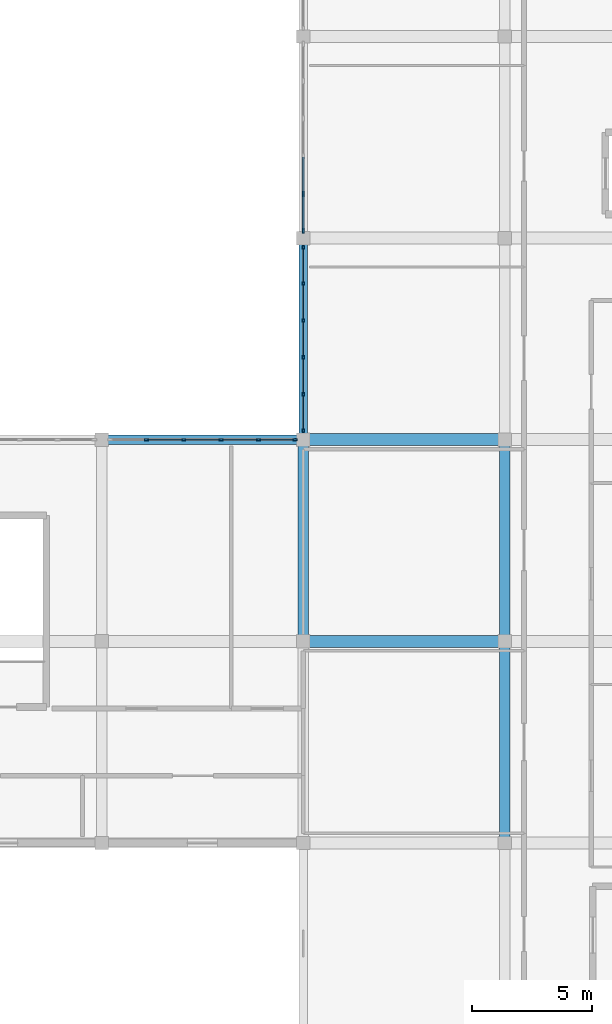
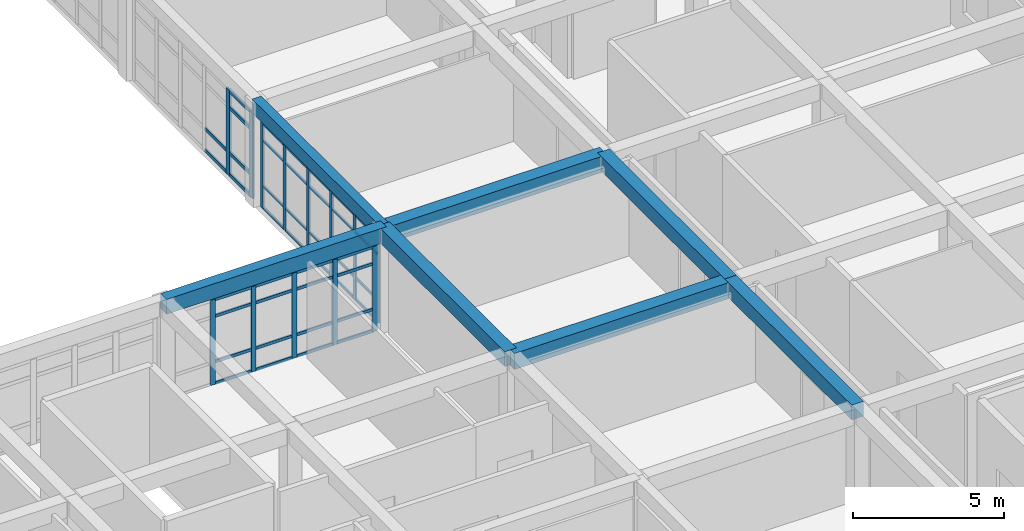
# One storey, part 26 of 77: 55 members, 7 beams, 3 elements without a shape of their own.
"""IFC4 building model written with IfcOpenShell, lengths in metres."""

import ifcopenshell
import ifcopenshell.guid

model = None  # the IFC model being written
_history = None  # IfcOwnerHistory: only IFC2X3 demands one
_inside = {}  # id of a spatial element -> (the spatial element, [elements in it])
_under = {}  # id of a project, library or spatial element -> (it, [spatial elements below it])
_declared = {}  # id of a project -> (the project, [libraries it declares])
_typed = {}  # id of a type object -> (the type object, [elements of that type])
_made_of = {}  # id of a material, layer set ... -> (it, [elements and type objects made of it])


def new_model(schema):
    """Start an empty IFC model of exactly this schema.

    Asked for "IFC4X3", IfcOpenShell would pick the latest addendum, in which some entities
    have other attributes; the version numbers below select the first issue.
    IFC2X3 requires an IfcOwnerHistory on every rooted entity: one is made here for all.
    """
    global model, _history
    if schema == "IFC4X3":
        model = ifcopenshell.file(schema_version=(4, 3, 0, 0))
    else:
        model = ifcopenshell.file(schema=schema)
    _inside.clear()
    _under.clear()
    _declared.clear()
    _typed.clear()
    _made_of.clear()
    _history = None
    if model.schema == "IFC2X3":
        org = make("IfcOrganization", Name="unknown")
        user = make(
            "IfcPersonAndOrganization",
            ThePerson=make("IfcPerson", FamilyName="unknown"),
            TheOrganization=org,
        )
        app = make(
            "IfcApplication",
            ApplicationDeveloper=org,
            Version="unknown",
            ApplicationFullName="unknown",
            ApplicationIdentifier="unknown",
        )
        _history = make(
            "IfcOwnerHistory",
            OwningUser=user,
            OwningApplication=app,
            ChangeAction="ADDED",
            CreationDate=0,
        )
    return model


def make(cls, **values):
    """One entity of the class cls with the attributes given. An attribute that is None is left unset."""
    return model.create_entity(
        cls, **{name: value for name, value in values.items() if value is not None}
    )


def rooted(cls, **values):
    """An entity with a GlobalId (a new one), such as an element, a storey or a relation."""
    return make(cls, GlobalId=ifcopenshell.guid.new(), OwnerHistory=_history, **values)


def si_unit(unit_type, name, prefix=None):
    """IfcSIUnit, for example si_unit("LENGTHUNIT", "METRE", prefix="MILLI")."""
    return make("IfcSIUnit", UnitType=unit_type, Prefix=prefix, Name=name)


def assignment(units):
    """IfcUnitAssignment: the units of a project."""
    return None if units is None else make("IfcUnitAssignment", Units=units)


def point(xyz):
    """IfcCartesianPoint."""
    return None if xyz is None else make("IfcCartesianPoint", Coordinates=xyz)


def direction(xyz):
    """IfcDirection."""
    return None if xyz is None else make("IfcDirection", DirectionRatios=xyz)


def frame(location, z_axis=None, x_axis=None):
    """IfcAxis2Placement3D, a coordinate frame: its origin and axes. An axis left out is left unset."""
    return make(
        "IfcAxis2Placement3D",
        Location=point(location),
        Axis=direction(z_axis),
        RefDirection=direction(x_axis),
    )


def frame_2d(location, x_axis=None):
    """IfcAxis2Placement2D, a coordinate frame in the plane: its origin and x axis."""
    return make(
        "IfcAxis2Placement2D", Location=point(location), RefDirection=direction(x_axis)
    )


def origin():
    """The frame at (0, 0, 0) with its axes left unset."""
    return frame((0.0, 0.0, 0.0))


def origin_2d():
    """The frame at (0, 0) in the plane with its x axis left unset."""
    return frame_2d((0.0, 0.0))


def place(relative_to, where):
    """IfcLocalPlacement: puts the frame where relative to a parent placement (None: the world)."""
    return make(
        "IfcLocalPlacement", PlacementRelTo=relative_to, RelativePlacement=where
    )


def context(
    kind, dimensions, precision=None, world=None, true_north=None, identifier=None
):
    """IfcGeometricRepresentationContext, for example the 3D "Model" context."""
    return make(
        "IfcGeometricRepresentationContext",
        ContextIdentifier=identifier,
        ContextType=kind,
        CoordinateSpaceDimension=dimensions,
        Precision=precision,
        WorldCoordinateSystem=world,
        TrueNorth=true_north,
    )


def subcontext(parent, identifier, kind, view, scale=None):
    """IfcGeometricRepresentationSubContext, for example "Body" below "Model"."""
    return make(
        "IfcGeometricRepresentationSubContext",
        ContextIdentifier=identifier,
        ContextType=kind,
        ParentContext=parent,
        TargetScale=scale,
        TargetView=view,
    )


def project(units=None, contexts=None):
    """IfcProject with its units and contexts."""
    return rooted(
        "IfcProject",
        Name="project",
        RepresentationContexts=contexts,
        UnitsInContext=assignment(units),
    )


def spatial(cls, under=None, at=None, **own):
    """A site, building, storey or space (cls), placed at a placement, below another one or the project."""
    s = rooted(cls, ObjectPlacement=at, **own)
    if under is not None:
        _under.setdefault(under.id(), (under, []))[1].append(s)
    return s


def profile(cls, at=None, kind="AREA", **sizes):
    """A parametric profile (cls). Its sizes go by their IFC names, for example OverallWidth=200.0."""
    return make(cls, ProfileType=kind, Position=at, **sizes)


def rectangle(**sizes):
    """IfcRectangleProfileDef."""
    return profile("IfcRectangleProfileDef", **sizes)


def extrude(swept, where, along, depth):
    """IfcExtrudedAreaSolid: the profile swept, set in the frame where, extruded along a direction by depth."""
    return make(
        "IfcExtrudedAreaSolid",
        SweptArea=swept,
        Position=where,
        ExtrudedDirection=direction(along),
        Depth=depth,
    )


def shape(context_of_items, identifier, shape_type, items):
    """IfcShapeRepresentation: the items that make up one representation, for example the "Body"."""
    return make(
        "IfcShapeRepresentation",
        ContextOfItems=context_of_items,
        RepresentationIdentifier=identifier,
        RepresentationType=shape_type,
        Items=items,
    )


def material(Name=None, Category=None):
    """IfcMaterial."""
    return make("IfcMaterial", Name=Name, Category=Category)


def material_profile(
    of_material, cross_section, Name=None, Category=None, Priority=None
):
    """IfcMaterialProfile: a cross section and its material."""
    return make(
        "IfcMaterialProfile",
        Name=Name,
        Material=of_material,
        Profile=cross_section,
        Priority=Priority,
        Category=Category,
    )


def profile_set(profiles, Name=None, composite=None):
    """IfcMaterialProfileSet."""
    return make(
        "IfcMaterialProfileSet",
        Name=Name,
        MaterialProfiles=profiles,
        CompositeProfile=composite,
    )


def made_of(thing, what):
    """Note that an element or type object is made of a material, layer set ...; save() writes the relation."""
    if what is not None:
        _made_of.setdefault(what.id(), (what, []))[1].append(thing)
    return thing


def type_object(cls, material=None, **own):
    """A type object (cls), such as IfcWallType, which elements share."""
    return made_of(rooted(cls, **own), material)


def element(
    cls,
    number,
    at=None,
    inside=None,
    cuts=None,
    type_object=None,
    material=None,
    context=None,
    identifier="Body",
    shape_type=None,
    held_by="IfcProductDefinitionShape",
    body=None,
    shapes=None,
    **own,
):
    """One element of the class cls, such as IfcWall. Its Tag is "e" and its number.

    at: its placement. inside: the storey or other place that contains it. cuts: it is an
    opening in that element (IfcRelVoidsElement). A single representation is given by context,
    identifier, shape_type and body (its items); several are given by shapes. held_by: the class
    of the entity that holds the representations. save() writes the other relations.
    """
    e = rooted(cls, Tag="e%d" % number, ObjectPlacement=at, **own)
    if body is not None:
        shapes = [shape(context, identifier, shape_type, body)]
    if shapes is not None:
        e.Representation = make(held_by, Representations=shapes)
    if inside is not None:
        _inside.setdefault(inside.id(), (inside, []))[1].append(e)
    if cuts is not None:
        rooted(
            "IfcRelVoidsElement", RelatingBuildingElement=cuts, RelatedOpeningElement=e
        )
    if type_object is not None:
        _typed.setdefault(type_object.id(), (type_object, []))[1].append(e)
    return made_of(e, material)


def aggregate(whole, parts):
    """IfcRelAggregates: a whole, such as a stair, and the parts it consists of."""
    return rooted("IfcRelAggregates", RelatingObject=whole, RelatedObjects=parts)


def save(model, path):
    """Write the relations noted so far, then the file.

    IfcRelAggregates (storeys below a building ...), IfcRelContainedInSpatialStructure (elements
    in a storey), IfcRelDefinesByType, IfcRelAssociatesMaterial and IfcRelDeclares: one each for
    every whole, place, type object, material and project.
    """
    for whole, parts in _under.values():
        aggregate(whole, parts)
    for where, things in _inside.values():
        rooted(
            "IfcRelContainedInSpatialStructure",
            RelatedElements=things,
            RelatingStructure=where,
        )
    for kind, things in _typed.values():
        rooted("IfcRelDefinesByType", RelatedObjects=things, RelatingType=kind)
    for what, things in _made_of.values():
        rooted("IfcRelAssociatesMaterial", RelatedObjects=things, RelatingMaterial=what)
    for by, libraries in _declared.values():
        rooted("IfcRelDeclares", RelatingContext=by, RelatedDefinitions=libraries)
    model.write(path)


model = new_model("IFC4")

# Units and contexts
model_context = context("Model", 3, precision=1e-05, world=origin(), true_north=direction((0.0, 1.0)))
body_context = subcontext(model_context, "Body", "Model", "MODEL_VIEW")
ifc_project = project(units=[si_unit("LENGTHUNIT", "METRE"), si_unit("AREAUNIT", "SQUARE_METRE"), si_unit("VOLUMEUNIT", "CUBIC_METRE"), si_unit("PLANEANGLEUNIT", "RADIAN"), si_unit("MASSUNIT", "GRAM", prefix="KILO")], contexts=[model_context])

# Site, building, storey
site_placement = place(None, origin())
site = spatial("IfcSite", under=ifc_project, at=site_placement, CompositionType="ELEMENT")
building_placement = place(site_placement, origin())
building = spatial("IfcBuilding", under=site, at=building_placement, Name="Varncliffe General Hospital", CompositionType="ELEMENT")
storey_placement = place(building_placement, frame((0.0, 0.0, 16.199951171875)))
storey = spatial("IfcBuildingStorey", under=building, at=storey_placement, Name="L03", CompositionType="ELEMENT", Elevation=16.199951171875)

# Beams
ifc_material_1 = material(Name="Concrete C35/45 (CSA A23.1 35 MPa)", Category="concrete")
ifc_material_profile_1 = material_profile(ifc_material_1, rectangle(XDim=0.5, YDim=0.64990234375, at=origin_2d()), Name="RC 500x650")
ifc_profile_set_1 = profile_set([ifc_material_profile_1], Name="Concrete C35/45 (CSA A23.1 35 MPa)")
beam_type_1 = type_object("IfcBeamType", Name="Beam B29 (Int RC 500x650)", PredefinedType="BEAM", material=ifc_profile_set_1)
for number, where, z_axis, x_axis, name in (
    (1, (151.199951171875, 32.39990234375, 3.875), (1.0, 0.0, 0.0), (0.0, 1.0, 0.0), "L03 Primary Beam B29-21"),
    (2, (151.199951171875, 40.800048828125, 3.875), (1.0, 0.0, 0.0), (0.0, 1.0, 0.0), "L03 Primary Beam B29-31"),
):
    element("IfcBeam", number, at=place(storey_placement, frame(where, z_axis=z_axis, x_axis=x_axis)), inside=storey, type_object=beam_type_1, Name=name, PredefinedType="BEAM", context=body_context, shape_type="SweptSolid", body=[
        extrude(rectangle(XDim=0.5, YDim=0.64990234375, at=origin_2d()), origin(), (0.0, 0.0, 1.0), 8.400146484375),
    ])
ifc_material_profile_2 = material_profile(ifc_material_1, rectangle(XDim=0.449951171875, YDim=0.60009765625, at=origin_2d()), Name="RC 450x600")
ifc_profile_set_2 = profile_set([ifc_material_profile_2], Name="Concrete C35/45 (CSA A23.1 35 MPa)")
beam_type_2 = type_object("IfcBeamType", Name="Beam B47 (Int RC 450x600)", PredefinedType="BEAM", material=ifc_profile_set_2)
beam_1_placement = place(storey_placement, frame((151.199951171875, 32.39990234375, 3.900146484375), z_axis=(0.0, 1.0, 0.0), x_axis=(-1.0, 0.0, 0.0)))
element("IfcBeam", 3, at=beam_1_placement, inside=storey, type_object=beam_type_2, Name="L03 Primary Beam B47-367", PredefinedType="BEAM", context=body_context, shape_type="SweptSolid", body=[
    extrude(rectangle(XDim=0.449951171875, YDim=0.60009765625, at=origin_2d()), origin(), (0.0, 0.0, 1.0), 8.400146484375),
])
beam_2_placement = place(storey_placement, frame((159.60009765625, 24.0, 3.900146484375), z_axis=(0.0, 1.0, 0.0), x_axis=(-1.0, 0.0, 0.0)))
element("IfcBeam", 4, at=beam_2_placement, inside=storey, type_object=beam_type_2, Name="L03 Primary Beam B47-383", PredefinedType="BEAM", context=body_context, shape_type="SweptSolid", body=[
    extrude(rectangle(XDim=0.449951171875, YDim=0.60009765625, at=origin_2d()), origin(), (0.0, 0.0, 1.0), 8.39990234375),
])
beam_3_placement = place(storey_placement, frame((159.60009765625, 32.39990234375, 3.900146484375), z_axis=(0.0, 1.0, 0.0), x_axis=(-1.0, 0.0, 0.0)))
element("IfcBeam", 5, at=beam_3_placement, inside=storey, type_object=beam_type_2, Name="L03 Primary Beam B47-384", PredefinedType="BEAM", context=body_context, shape_type="SweptSolid", body=[
    extrude(rectangle(XDim=0.449951171875, YDim=0.60009765625, at=origin_2d()), origin(), (0.0, 0.0, 1.0), 8.400146484375),
])

# Curtain wall, members
ifc_material_2 = material(Name="Triple low-E argon insulated vision glazing", Category="glass")
curtain_wall_type_1 = type_object("IfcCurtainWallType", Name="Unitised Glazed Curtain Wall CW23 (7774x3440)", PredefinedType="USERDEFINED", material=ifc_material_2)
curtain_wall_1_placement = place(storey_placement, origin())
curtain_wall_1 = element("IfcCurtainWall", 6, at=curtain_wall_1_placement, inside=storey, type_object=curtain_wall_type_1, Name="L03 Glazed Curtain Wall CW23-163", ObjectType="GLAZED CURTAIN WALL", PredefinedType="USERDEFINED")
ifc_material_3 = material(Name="Dark bronze thermally broken aluminium framing", Category="aluminium")
ifc_material_profile_3 = material_profile(ifc_material_3, rectangle(XDim=0.074951171875, YDim=0.179931640625, at=origin_2d()), Name="ALU 75x180")
ifc_profile_set_3 = profile_set([ifc_material_profile_3], Name="Dark bronze thermally broken aluminium framing")
member_type_1 = type_object("IfcMemberType", Name="Curtain Wall Mullion CM44 (ALU 75x180)", PredefinedType="MULLION", material=ifc_profile_set_3)
member_1_placement = place(storey_placement, frame((144.667724609375, 40.800048828125, 0.0), z_axis=(0.0, 0.0, 1.0), x_axis=(0.0, 1.0, 0.0)))
member_1 = element("IfcMember", 7, at=member_1_placement, type_object=member_type_1, Name="CW23 mullion 2", PredefinedType="MULLION", context=body_context, shape_type="SweptSolid", body=[
    extrude(rectangle(XDim=0.074951171875, YDim=0.179931640625, at=origin_2d()), origin(), (0.0, 0.0, 1.0), 3.43994140625),
])
member_2_placement = place(storey_placement, frame((146.22265625, 40.800048828125, 0.0), z_axis=(0.0, 0.0, 1.0), x_axis=(0.0, 1.0, 0.0)))
member_2 = element("IfcMember", 8, at=member_2_placement, type_object=member_type_1, Name="CW23 mullion 3", PredefinedType="MULLION", context=body_context, shape_type="SweptSolid", body=[
    extrude(rectangle(XDim=0.074951171875, YDim=0.179931640625, at=origin_2d()), origin(), (0.0, 0.0, 1.0), 3.43994140625),
])
member_3_placement = place(storey_placement, frame((147.77734375, 40.800048828125, 0.0), z_axis=(0.0, 0.0, 1.0), x_axis=(0.0, 1.0, 0.0)))
member_3 = element("IfcMember", 9, at=member_3_placement, type_object=member_type_1, Name="CW23 mullion 4", PredefinedType="MULLION", context=body_context, shape_type="SweptSolid", body=[
    extrude(rectangle(XDim=0.074951171875, YDim=0.179931640625, at=origin_2d()), origin(), (0.0, 0.0, 1.0), 3.43994140625),
])
member_4_placement = place(storey_placement, frame((149.332275390625, 40.800048828125, 0.0), z_axis=(0.0, 0.0, 1.0), x_axis=(0.0, 1.0, 0.0)))
member_4 = element("IfcMember", 10, at=member_4_placement, type_object=member_type_1, Name="CW23 mullion 5", PredefinedType="MULLION", context=body_context, shape_type="SweptSolid", body=[
    extrude(rectangle(XDim=0.074951171875, YDim=0.179931640625, at=origin_2d()), origin(), (0.0, 0.0, 1.0), 3.43994140625),
])
member_5_placement = place(storey_placement, frame((150.849609375, 40.800048828125, 0.0), z_axis=(0.0, 0.0, 1.0), x_axis=(0.0, 1.0, 0.0)))
member_5 = element("IfcMember", 11, at=member_5_placement, type_object=member_type_1, Name="CW23 mullion 6", PredefinedType="MULLION", context=body_context, shape_type="SweptSolid", body=[
    extrude(rectangle(XDim=0.074951171875, YDim=0.179931640625, at=origin_2d()), origin(), (0.0, 0.0, 1.0), 3.43994140625),
])

curtain_wall_type_2 = type_object("IfcCurtainWallType", Name="Unitised Glazed Curtain Wall CW37 (7694x3440)", PredefinedType="USERDEFINED", material=ifc_material_2)
curtain_wall_2_placement = place(storey_placement, origin())
curtain_wall_2 = element("IfcCurtainWall", 12, at=curtain_wall_2_placement, inside=storey, type_object=curtain_wall_type_2, Name="L03 Glazed Curtain Wall CW37-164", ObjectType="GLAZED CURTAIN WALL", PredefinedType="USERDEFINED")
ifc_material_profile_4 = material_profile(ifc_material_3, rectangle(XDim=0.06494140625, YDim=0.159912109375, at=origin_2d()), Name="ALU 65x160")
ifc_profile_set_4 = profile_set([ifc_material_profile_4], Name="Dark bronze thermally broken aluminium framing")
member_type_2 = type_object("IfcMemberType", Name="Curtain Wall Mullion CM65 (ALU 65x160)", PredefinedType="MULLION", material=ifc_profile_set_4)
member_6_placement = place(storey_placement, frame((151.199951171875, 41.185546875, 0.0), z_axis=(0.0, 0.0, 1.0), x_axis=(-1.0, 0.0, 0.0)))
member_6 = element("IfcMember", 13, at=member_6_placement, type_object=member_type_2, Name="CW37 mullion 1", PredefinedType="MULLION", context=body_context, shape_type="SweptSolid", body=[
    extrude(rectangle(XDim=0.06494140625, YDim=0.159912109375, at=origin_2d()), origin(), (0.0, 0.0, 1.0), 3.43994140625),
])
member_7_placement = place(storey_placement, frame((151.199951171875, 42.69189453125, 0.0), z_axis=(0.0, 0.0, 1.0), x_axis=(-1.0, 0.0, 0.0)))
member_7 = element("IfcMember", 14, at=member_7_placement, type_object=member_type_2, Name="CW37 mullion 2", PredefinedType="MULLION", context=body_context, shape_type="SweptSolid", body=[
    extrude(rectangle(XDim=0.06494140625, YDim=0.159912109375, at=origin_2d()), origin(), (0.0, 0.0, 1.0), 3.43994140625),
])
member_8_placement = place(storey_placement, frame((151.199951171875, 44.230712890625, 0.0), z_axis=(0.0, 0.0, 1.0), x_axis=(-1.0, 0.0, 0.0)))
member_8 = element("IfcMember", 15, at=member_8_placement, type_object=member_type_2, Name="CW37 mullion 3", PredefinedType="MULLION", context=body_context, shape_type="SweptSolid", body=[
    extrude(rectangle(XDim=0.06494140625, YDim=0.159912109375, at=origin_2d()), origin(), (0.0, 0.0, 1.0), 3.43994140625),
])
member_9_placement = place(storey_placement, frame((151.199951171875, 45.769287109375, 0.0), z_axis=(0.0, 0.0, 1.0), x_axis=(-1.0, 0.0, 0.0)))
member_9 = element("IfcMember", 16, at=member_9_placement, type_object=member_type_2, Name="CW37 mullion 4", PredefinedType="MULLION", context=body_context, shape_type="SweptSolid", body=[
    extrude(rectangle(XDim=0.06494140625, YDim=0.159912109375, at=origin_2d()), origin(), (0.0, 0.0, 1.0), 3.43994140625),
])
member_10_placement = place(storey_placement, frame((151.199951171875, 47.30810546875, 0.0), z_axis=(0.0, 0.0, 1.0), x_axis=(-1.0, 0.0, 0.0)))
member_10 = element("IfcMember", 17, at=member_10_placement, type_object=member_type_2, Name="CW37 mullion 5", PredefinedType="MULLION", context=body_context, shape_type="SweptSolid", body=[
    extrude(rectangle(XDim=0.06494140625, YDim=0.159912109375, at=origin_2d()), origin(), (0.0, 0.0, 1.0), 3.43994140625),
])
member_11_placement = place(storey_placement, frame((151.199951171875, 48.814453125, 0.0), z_axis=(0.0, 0.0, 1.0), x_axis=(-1.0, 0.0, 0.0)))
member_11 = element("IfcMember", 18, at=member_11_placement, type_object=member_type_2, Name="CW37 mullion 6", PredefinedType="MULLION", context=body_context, shape_type="SweptSolid", body=[
    extrude(rectangle(XDim=0.06494140625, YDim=0.159912109375, at=origin_2d()), origin(), (0.0, 0.0, 1.0), 3.43994140625),
])

curtain_wall_type_3 = type_object("IfcCurtainWallType", Name="Unitised Glazed Curtain Wall CW83 (7854x3440)", PredefinedType="USERDEFINED", material=ifc_material_2)
curtain_wall_3_placement = place(storey_placement, origin())
curtain_wall_3 = element("IfcCurtainWall", 19, at=curtain_wall_3_placement, inside=storey, type_object=curtain_wall_type_3, Name="L03 Glazed Curtain Wall CW83-165", ObjectType="GLAZED CURTAIN WALL", PredefinedType="USERDEFINED")
ifc_material_profile_5 = material_profile(ifc_material_3, rectangle(XDim=0.074951171875, YDim=0.219970703125, at=origin_2d()), Name="ALU 75x220")
ifc_profile_set_5 = profile_set([ifc_material_profile_5], Name="Dark bronze thermally broken aluminium framing")
member_type_3 = type_object("IfcMemberType", Name="Curtain Wall Mullion CM74 (ALU 75x220)", PredefinedType="MULLION", material=ifc_profile_set_5)
member_12_placement = place(storey_placement, frame((151.199951171875, 49.510498046875, 0.0), z_axis=(0.0, 0.0, 1.0), x_axis=(-1.0, 0.0, 0.0)))
member_12 = element("IfcMember", 20, at=member_12_placement, type_object=member_type_3, Name="CW83 mullion 1", PredefinedType="MULLION", context=body_context, shape_type="SweptSolid", body=[
    extrude(rectangle(XDim=0.074951171875, YDim=0.219970703125, at=origin_2d()), origin(), (0.0, 0.0, 1.0), 3.43994140625),
])
member_13_placement = place(storey_placement, frame((151.199951171875, 51.043701171875, 0.0), z_axis=(0.0, 0.0, 1.0), x_axis=(-1.0, 0.0, 0.0)))
member_13 = element("IfcMember", 21, at=member_13_placement, type_object=member_type_3, Name="CW83 mullion 2", PredefinedType="MULLION", context=body_context, shape_type="SweptSolid", body=[
    extrude(rectangle(XDim=0.074951171875, YDim=0.219970703125, at=origin_2d()), origin(), (0.0, 0.0, 1.0), 3.43994140625),
])

# Member
ifc_material_profile_6 = material_profile(ifc_material_3, rectangle(XDim=0.06005859375, YDim=0.1201171875, at=origin_2d()), Name="ALU 60x120")
ifc_profile_set_6 = profile_set([ifc_material_profile_6], Name="Dark bronze thermally broken aluminium framing")
member_type_4 = type_object("IfcMemberType", Name="Curtain Wall Transom CT14 (ALU 60x120)", PredefinedType="USERDEFINED", material=ifc_profile_set_6)
member_14_placement = place(storey_placement, frame((144.705322265625, 40.800048828125, 0.030029296875), z_axis=(1.0, 0.0, 0.0), x_axis=(0.0, 1.0, 0.0)))
member_14 = element("IfcMember", 22, at=member_14_placement, type_object=member_type_4, Name="CW23 transom 2.1", ObjectType="TRANSOM", PredefinedType="USERDEFINED", context=body_context, shape_type="SweptSolid", body=[
    extrude(rectangle(XDim=0.06005859375, YDim=0.1201171875, at=origin_2d()), origin(), (0.0, 0.0, 1.0), 1.479736328125),
])

member_15_placement = place(storey_placement, frame((144.705322265625, 40.800048828125, 0.900146484375), z_axis=(1.0, 0.0, 0.0), x_axis=(0.0, 1.0, 0.0)))
member_15 = element("IfcMember", 23, at=member_15_placement, type_object=member_type_4, Name="CW23 transom 2.2", ObjectType="TRANSOM", PredefinedType="USERDEFINED", context=body_context, shape_type="SweptSolid", body=[
    extrude(rectangle(XDim=0.06005859375, YDim=0.1201171875, at=origin_2d()), origin(), (0.0, 0.0, 1.0), 1.479736328125),
])

member_16_placement = place(storey_placement, frame((144.705322265625, 40.800048828125, 2.739990234375), z_axis=(1.0, 0.0, 0.0), x_axis=(0.0, 1.0, 0.0)))
member_16 = element("IfcMember", 24, at=member_16_placement, type_object=member_type_4, Name="CW23 transom 2.3", ObjectType="TRANSOM", PredefinedType="USERDEFINED", context=body_context, shape_type="SweptSolid", body=[
    extrude(rectangle(XDim=0.06005859375, YDim=0.1201171875, at=origin_2d()), origin(), (0.0, 0.0, 1.0), 1.479736328125),
])

member_17_placement = place(storey_placement, frame((144.705322265625, 40.800048828125, 3.41015625), z_axis=(1.0, 0.0, 0.0), x_axis=(0.0, 1.0, 0.0)))
member_17 = element("IfcMember", 25, at=member_17_placement, type_object=member_type_4, Name="CW23 transom 2.4", ObjectType="TRANSOM", PredefinedType="USERDEFINED", context=body_context, shape_type="SweptSolid", body=[
    extrude(rectangle(XDim=0.06005859375, YDim=0.1201171875, at=origin_2d()), origin(), (0.0, 0.0, 1.0), 1.479736328125),
])

member_18_placement = place(storey_placement, frame((146.260009765625, 40.800048828125, 0.030029296875), z_axis=(1.0, 0.0, 0.0), x_axis=(0.0, 1.0, 0.0)))
member_18 = element("IfcMember", 26, at=member_18_placement, type_object=member_type_4, Name="CW23 transom 3.1", ObjectType="TRANSOM", PredefinedType="USERDEFINED", context=body_context, shape_type="SweptSolid", body=[
    extrude(rectangle(XDim=0.06005859375, YDim=0.1201171875, at=origin_2d()), origin(), (0.0, 0.0, 1.0), 1.47998046875),
])

member_19_placement = place(storey_placement, frame((146.260009765625, 40.800048828125, 0.900146484375), z_axis=(1.0, 0.0, 0.0), x_axis=(0.0, 1.0, 0.0)))
member_19 = element("IfcMember", 27, at=member_19_placement, type_object=member_type_4, Name="CW23 transom 3.2", ObjectType="TRANSOM", PredefinedType="USERDEFINED", context=body_context, shape_type="SweptSolid", body=[
    extrude(rectangle(XDim=0.06005859375, YDim=0.1201171875, at=origin_2d()), origin(), (0.0, 0.0, 1.0), 1.47998046875),
])

member_20_placement = place(storey_placement, frame((146.260009765625, 40.800048828125, 2.739990234375), z_axis=(1.0, 0.0, 0.0), x_axis=(0.0, 1.0, 0.0)))
member_20 = element("IfcMember", 28, at=member_20_placement, type_object=member_type_4, Name="CW23 transom 3.3", ObjectType="TRANSOM", PredefinedType="USERDEFINED", context=body_context, shape_type="SweptSolid", body=[
    extrude(rectangle(XDim=0.06005859375, YDim=0.1201171875, at=origin_2d()), origin(), (0.0, 0.0, 1.0), 1.47998046875),
])

member_21_placement = place(storey_placement, frame((146.260009765625, 40.800048828125, 3.41015625), z_axis=(1.0, 0.0, 0.0), x_axis=(0.0, 1.0, 0.0)))
member_21 = element("IfcMember", 29, at=member_21_placement, type_object=member_type_4, Name="CW23 transom 3.4", ObjectType="TRANSOM", PredefinedType="USERDEFINED", context=body_context, shape_type="SweptSolid", body=[
    extrude(rectangle(XDim=0.06005859375, YDim=0.1201171875, at=origin_2d()), origin(), (0.0, 0.0, 1.0), 1.47998046875),
])

member_22_placement = place(storey_placement, frame((147.81494140625, 40.800048828125, 0.030029296875), z_axis=(1.0, 0.0, 0.0), x_axis=(0.0, 1.0, 0.0)))
member_22 = element("IfcMember", 30, at=member_22_placement, type_object=member_type_4, Name="CW23 transom 4.1", ObjectType="TRANSOM", PredefinedType="USERDEFINED", context=body_context, shape_type="SweptSolid", body=[
    extrude(rectangle(XDim=0.06005859375, YDim=0.1201171875, at=origin_2d()), origin(), (0.0, 0.0, 1.0), 1.479736328125),
])

member_23_placement = place(storey_placement, frame((147.81494140625, 40.800048828125, 0.900146484375), z_axis=(1.0, 0.0, 0.0), x_axis=(0.0, 1.0, 0.0)))
member_23 = element("IfcMember", 31, at=member_23_placement, type_object=member_type_4, Name="CW23 transom 4.2", ObjectType="TRANSOM", PredefinedType="USERDEFINED", context=body_context, shape_type="SweptSolid", body=[
    extrude(rectangle(XDim=0.06005859375, YDim=0.1201171875, at=origin_2d()), origin(), (0.0, 0.0, 1.0), 1.479736328125),
])

member_24_placement = place(storey_placement, frame((147.81494140625, 40.800048828125, 2.739990234375), z_axis=(1.0, 0.0, 0.0), x_axis=(0.0, 1.0, 0.0)))
member_24 = element("IfcMember", 32, at=member_24_placement, type_object=member_type_4, Name="CW23 transom 4.3", ObjectType="TRANSOM", PredefinedType="USERDEFINED", context=body_context, shape_type="SweptSolid", body=[
    extrude(rectangle(XDim=0.06005859375, YDim=0.1201171875, at=origin_2d()), origin(), (0.0, 0.0, 1.0), 1.479736328125),
])

member_25_placement = place(storey_placement, frame((147.81494140625, 40.800048828125, 3.41015625), z_axis=(1.0, 0.0, 0.0), x_axis=(0.0, 1.0, 0.0)))
member_25 = element("IfcMember", 33, at=member_25_placement, type_object=member_type_4, Name="CW23 transom 4.4", ObjectType="TRANSOM", PredefinedType="USERDEFINED", context=body_context, shape_type="SweptSolid", body=[
    extrude(rectangle(XDim=0.06005859375, YDim=0.1201171875, at=origin_2d()), origin(), (0.0, 0.0, 1.0), 1.479736328125),
])

member_26_placement = place(storey_placement, frame((149.36962890625, 40.800048828125, 0.030029296875), z_axis=(1.0, 0.0, 0.0), x_axis=(0.0, 1.0, 0.0)))
member_26 = element("IfcMember", 34, at=member_26_placement, type_object=member_type_4, Name="CW23 transom 5.1", ObjectType="TRANSOM", PredefinedType="USERDEFINED", context=body_context, shape_type="SweptSolid", body=[
    extrude(rectangle(XDim=0.06005859375, YDim=0.1201171875, at=origin_2d()), origin(), (0.0, 0.0, 1.0), 1.4423828125),
])

member_27_placement = place(storey_placement, frame((149.36962890625, 40.800048828125, 0.900146484375), z_axis=(1.0, 0.0, 0.0), x_axis=(0.0, 1.0, 0.0)))
member_27 = element("IfcMember", 35, at=member_27_placement, type_object=member_type_4, Name="CW23 transom 5.2", ObjectType="TRANSOM", PredefinedType="USERDEFINED", context=body_context, shape_type="SweptSolid", body=[
    extrude(rectangle(XDim=0.06005859375, YDim=0.1201171875, at=origin_2d()), origin(), (0.0, 0.0, 1.0), 1.4423828125),
])

member_28_placement = place(storey_placement, frame((149.36962890625, 40.800048828125, 2.739990234375), z_axis=(1.0, 0.0, 0.0), x_axis=(0.0, 1.0, 0.0)))
member_28 = element("IfcMember", 36, at=member_28_placement, type_object=member_type_4, Name="CW23 transom 5.3", ObjectType="TRANSOM", PredefinedType="USERDEFINED", context=body_context, shape_type="SweptSolid", body=[
    extrude(rectangle(XDim=0.06005859375, YDim=0.1201171875, at=origin_2d()), origin(), (0.0, 0.0, 1.0), 1.4423828125),
])

member_29_placement = place(storey_placement, frame((149.36962890625, 40.800048828125, 3.41015625), z_axis=(1.0, 0.0, 0.0), x_axis=(0.0, 1.0, 0.0)))
member_29 = element("IfcMember", 37, at=member_29_placement, type_object=member_type_4, Name="CW23 transom 5.4", ObjectType="TRANSOM", PredefinedType="USERDEFINED", context=body_context, shape_type="SweptSolid", body=[
    extrude(rectangle(XDim=0.06005859375, YDim=0.1201171875, at=origin_2d()), origin(), (0.0, 0.0, 1.0), 1.4423828125),
])

aggregate(curtain_wall_1, [member_1, member_2, member_3, member_4, member_5, member_14, member_15, member_16, member_17, member_18, member_19, member_20, member_21, member_22, member_23, member_24, member_25, member_26, member_27, member_28, member_29])

ifc_material_profile_7 = material_profile(ifc_material_3, rectangle(XDim=0.06005859375, YDim=0.10009765625, at=origin_2d()), Name="ALU 60x100")
ifc_profile_set_7 = profile_set([ifc_material_profile_7], Name="Dark bronze thermally broken aluminium framing")
member_type_5 = type_object("IfcMemberType", Name="Curtain Wall Transom CT18 (ALU 60x100)", PredefinedType="USERDEFINED", material=ifc_profile_set_7)
member_30_placement = place(storey_placement, frame((151.199951171875, 41.218017578125, 0.030029296875), z_axis=(0.0, 1.0, 0.0), x_axis=(-1.0, 0.0, 0.0)))
member_30 = element("IfcMember", 38, at=member_30_placement, type_object=member_type_5, Name="CW37 transom 1.1", ObjectType="TRANSOM", PredefinedType="USERDEFINED", context=body_context, shape_type="SweptSolid", body=[
    extrude(rectangle(XDim=0.06005859375, YDim=0.10009765625, at=origin_2d()), origin(), (0.0, 0.0, 1.0), 1.441162109375),
])

member_31_placement = place(storey_placement, frame((151.199951171875, 41.218017578125, 0.900146484375), z_axis=(0.0, 1.0, 0.0), x_axis=(-1.0, 0.0, 0.0)))
member_31 = element("IfcMember", 39, at=member_31_placement, type_object=member_type_5, Name="CW37 transom 1.2", ObjectType="TRANSOM", PredefinedType="USERDEFINED", context=body_context, shape_type="SweptSolid", body=[
    extrude(rectangle(XDim=0.06005859375, YDim=0.10009765625, at=origin_2d()), origin(), (0.0, 0.0, 1.0), 1.441162109375),
])

member_32_placement = place(storey_placement, frame((151.199951171875, 41.218017578125, 2.739990234375), z_axis=(0.0, 1.0, 0.0), x_axis=(-1.0, 0.0, 0.0)))
member_32 = element("IfcMember", 40, at=member_32_placement, type_object=member_type_5, Name="CW37 transom 1.3", ObjectType="TRANSOM", PredefinedType="USERDEFINED", context=body_context, shape_type="SweptSolid", body=[
    extrude(rectangle(XDim=0.06005859375, YDim=0.10009765625, at=origin_2d()), origin(), (0.0, 0.0, 1.0), 1.441162109375),
])

member_33_placement = place(storey_placement, frame((151.199951171875, 41.218017578125, 3.41015625), z_axis=(0.0, 1.0, 0.0), x_axis=(-1.0, 0.0, 0.0)))
member_33 = element("IfcMember", 41, at=member_33_placement, type_object=member_type_5, Name="CW37 transom 1.4", ObjectType="TRANSOM", PredefinedType="USERDEFINED", context=body_context, shape_type="SweptSolid", body=[
    extrude(rectangle(XDim=0.06005859375, YDim=0.10009765625, at=origin_2d()), origin(), (0.0, 0.0, 1.0), 1.441162109375),
])

member_34_placement = place(storey_placement, frame((151.199951171875, 42.724365234375, 0.030029296875), z_axis=(0.0, 1.0, 0.0), x_axis=(-1.0, 0.0, 0.0)))
member_34 = element("IfcMember", 42, at=member_34_placement, type_object=member_type_5, Name="CW37 transom 2.1", ObjectType="TRANSOM", PredefinedType="USERDEFINED", context=body_context, shape_type="SweptSolid", body=[
    extrude(rectangle(XDim=0.06005859375, YDim=0.10009765625, at=origin_2d()), origin(), (0.0, 0.0, 1.0), 1.4736328125),
])

member_35_placement = place(storey_placement, frame((151.199951171875, 42.724365234375, 0.900146484375), z_axis=(0.0, 1.0, 0.0), x_axis=(-1.0, 0.0, 0.0)))
member_35 = element("IfcMember", 43, at=member_35_placement, type_object=member_type_5, Name="CW37 transom 2.2", ObjectType="TRANSOM", PredefinedType="USERDEFINED", context=body_context, shape_type="SweptSolid", body=[
    extrude(rectangle(XDim=0.06005859375, YDim=0.10009765625, at=origin_2d()), origin(), (0.0, 0.0, 1.0), 1.4736328125),
])

member_36_placement = place(storey_placement, frame((151.199951171875, 42.724365234375, 2.739990234375), z_axis=(0.0, 1.0, 0.0), x_axis=(-1.0, 0.0, 0.0)))
member_36 = element("IfcMember", 44, at=member_36_placement, type_object=member_type_5, Name="CW37 transom 2.3", ObjectType="TRANSOM", PredefinedType="USERDEFINED", context=body_context, shape_type="SweptSolid", body=[
    extrude(rectangle(XDim=0.06005859375, YDim=0.10009765625, at=origin_2d()), origin(), (0.0, 0.0, 1.0), 1.4736328125),
])

member_37_placement = place(storey_placement, frame((151.199951171875, 42.724365234375, 3.41015625), z_axis=(0.0, 1.0, 0.0), x_axis=(-1.0, 0.0, 0.0)))
member_37 = element("IfcMember", 45, at=member_37_placement, type_object=member_type_5, Name="CW37 transom 2.4", ObjectType="TRANSOM", PredefinedType="USERDEFINED", context=body_context, shape_type="SweptSolid", body=[
    extrude(rectangle(XDim=0.06005859375, YDim=0.10009765625, at=origin_2d()), origin(), (0.0, 0.0, 1.0), 1.4736328125),
])

member_38_placement = place(storey_placement, frame((151.199951171875, 44.26318359375, 0.030029296875), z_axis=(0.0, 1.0, 0.0), x_axis=(-1.0, 0.0, 0.0)))
member_38 = element("IfcMember", 46, at=member_38_placement, type_object=member_type_5, Name="CW37 transom 3.1", ObjectType="TRANSOM", PredefinedType="USERDEFINED", context=body_context, shape_type="SweptSolid", body=[
    extrude(rectangle(XDim=0.06005859375, YDim=0.10009765625, at=origin_2d()), origin(), (0.0, 0.0, 1.0), 1.4736328125),
])

member_39_placement = place(storey_placement, frame((151.199951171875, 44.26318359375, 0.900146484375), z_axis=(0.0, 1.0, 0.0), x_axis=(-1.0, 0.0, 0.0)))
member_39 = element("IfcMember", 47, at=member_39_placement, type_object=member_type_5, Name="CW37 transom 3.2", ObjectType="TRANSOM", PredefinedType="USERDEFINED", context=body_context, shape_type="SweptSolid", body=[
    extrude(rectangle(XDim=0.06005859375, YDim=0.10009765625, at=origin_2d()), origin(), (0.0, 0.0, 1.0), 1.4736328125),
])

member_40_placement = place(storey_placement, frame((151.199951171875, 44.26318359375, 2.739990234375), z_axis=(0.0, 1.0, 0.0), x_axis=(-1.0, 0.0, 0.0)))
member_40 = element("IfcMember", 48, at=member_40_placement, type_object=member_type_5, Name="CW37 transom 3.3", ObjectType="TRANSOM", PredefinedType="USERDEFINED", context=body_context, shape_type="SweptSolid", body=[
    extrude(rectangle(XDim=0.06005859375, YDim=0.10009765625, at=origin_2d()), origin(), (0.0, 0.0, 1.0), 1.4736328125),
])

member_41_placement = place(storey_placement, frame((151.199951171875, 44.26318359375, 3.41015625), z_axis=(0.0, 1.0, 0.0), x_axis=(-1.0, 0.0, 0.0)))
member_41 = element("IfcMember", 49, at=member_41_placement, type_object=member_type_5, Name="CW37 transom 3.4", ObjectType="TRANSOM", PredefinedType="USERDEFINED", context=body_context, shape_type="SweptSolid", body=[
    extrude(rectangle(XDim=0.06005859375, YDim=0.10009765625, at=origin_2d()), origin(), (0.0, 0.0, 1.0), 1.4736328125),
])

member_42_placement = place(storey_placement, frame((151.199951171875, 45.802001953125, 0.030029296875), z_axis=(0.0, 1.0, 0.0), x_axis=(-1.0, 0.0, 0.0)))
member_42 = element("IfcMember", 50, at=member_42_placement, type_object=member_type_5, Name="CW37 transom 4.1", ObjectType="TRANSOM", PredefinedType="USERDEFINED", context=body_context, shape_type="SweptSolid", body=[
    extrude(rectangle(XDim=0.06005859375, YDim=0.10009765625, at=origin_2d()), origin(), (0.0, 0.0, 1.0), 1.4736328125),
])

member_43_placement = place(storey_placement, frame((151.199951171875, 45.802001953125, 0.900146484375), z_axis=(0.0, 1.0, 0.0), x_axis=(-1.0, 0.0, 0.0)))
member_43 = element("IfcMember", 51, at=member_43_placement, type_object=member_type_5, Name="CW37 transom 4.2", ObjectType="TRANSOM", PredefinedType="USERDEFINED", context=body_context, shape_type="SweptSolid", body=[
    extrude(rectangle(XDim=0.06005859375, YDim=0.10009765625, at=origin_2d()), origin(), (0.0, 0.0, 1.0), 1.4736328125),
])

member_44_placement = place(storey_placement, frame((151.199951171875, 45.802001953125, 2.739990234375), z_axis=(0.0, 1.0, 0.0), x_axis=(-1.0, 0.0, 0.0)))
member_44 = element("IfcMember", 52, at=member_44_placement, type_object=member_type_5, Name="CW37 transom 4.3", ObjectType="TRANSOM", PredefinedType="USERDEFINED", context=body_context, shape_type="SweptSolid", body=[
    extrude(rectangle(XDim=0.06005859375, YDim=0.10009765625, at=origin_2d()), origin(), (0.0, 0.0, 1.0), 1.4736328125),
])

member_45_placement = place(storey_placement, frame((151.199951171875, 45.802001953125, 3.41015625), z_axis=(0.0, 1.0, 0.0), x_axis=(-1.0, 0.0, 0.0)))
member_45 = element("IfcMember", 53, at=member_45_placement, type_object=member_type_5, Name="CW37 transom 4.4", ObjectType="TRANSOM", PredefinedType="USERDEFINED", context=body_context, shape_type="SweptSolid", body=[
    extrude(rectangle(XDim=0.06005859375, YDim=0.10009765625, at=origin_2d()), origin(), (0.0, 0.0, 1.0), 1.4736328125),
])

member_46_placement = place(storey_placement, frame((151.199951171875, 47.3408203125, 0.030029296875), z_axis=(0.0, 1.0, 0.0), x_axis=(-1.0, 0.0, 0.0)))
member_46 = element("IfcMember", 54, at=member_46_placement, type_object=member_type_5, Name="CW37 transom 5.1", ObjectType="TRANSOM", PredefinedType="USERDEFINED", context=body_context, shape_type="SweptSolid", body=[
    extrude(rectangle(XDim=0.06005859375, YDim=0.10009765625, at=origin_2d()), origin(), (0.0, 0.0, 1.0), 1.441162109375),
])

member_47_placement = place(storey_placement, frame((151.199951171875, 47.3408203125, 0.900146484375), z_axis=(0.0, 1.0, 0.0), x_axis=(-1.0, 0.0, 0.0)))
member_47 = element("IfcMember", 55, at=member_47_placement, type_object=member_type_5, Name="CW37 transom 5.2", ObjectType="TRANSOM", PredefinedType="USERDEFINED", context=body_context, shape_type="SweptSolid", body=[
    extrude(rectangle(XDim=0.06005859375, YDim=0.10009765625, at=origin_2d()), origin(), (0.0, 0.0, 1.0), 1.441162109375),
])

member_48_placement = place(storey_placement, frame((151.199951171875, 47.3408203125, 2.739990234375), z_axis=(0.0, 1.0, 0.0), x_axis=(-1.0, 0.0, 0.0)))
member_48 = element("IfcMember", 56, at=member_48_placement, type_object=member_type_5, Name="CW37 transom 5.3", ObjectType="TRANSOM", PredefinedType="USERDEFINED", context=body_context, shape_type="SweptSolid", body=[
    extrude(rectangle(XDim=0.06005859375, YDim=0.10009765625, at=origin_2d()), origin(), (0.0, 0.0, 1.0), 1.441162109375),
])

member_49_placement = place(storey_placement, frame((151.199951171875, 47.3408203125, 3.41015625), z_axis=(0.0, 1.0, 0.0), x_axis=(-1.0, 0.0, 0.0)))
member_49 = element("IfcMember", 57, at=member_49_placement, type_object=member_type_5, Name="CW37 transom 5.4", ObjectType="TRANSOM", PredefinedType="USERDEFINED", context=body_context, shape_type="SweptSolid", body=[
    extrude(rectangle(XDim=0.06005859375, YDim=0.10009765625, at=origin_2d()), origin(), (0.0, 0.0, 1.0), 1.441162109375),
])

aggregate(curtain_wall_2, [member_6, member_7, member_8, member_9, member_10, member_11, member_30, member_31, member_32, member_33, member_34, member_35, member_36, member_37, member_38, member_39, member_40, member_41, member_42, member_43, member_44, member_45, member_46, member_47, member_48, member_49])

ifc_material_profile_8 = material_profile(ifc_material_3, rectangle(XDim=0.06494140625, YDim=0.139892578125, at=origin_2d()), Name="ALU 65x140")
ifc_profile_set_8 = profile_set([ifc_material_profile_8], Name="Dark bronze thermally broken aluminium framing")
member_type_6 = type_object("IfcMemberType", Name="Curtain Wall Transom CT69 (ALU 65x140)", PredefinedType="USERDEFINED", material=ifc_profile_set_8)
member_50_placement = place(storey_placement, frame((151.199951171875, 49.548095703125, 0.032470703125), z_axis=(0.0, 1.0, 0.0), x_axis=(-1.0, 0.0, 0.0)))
member_50 = element("IfcMember", 58, at=member_50_placement, type_object=member_type_6, Name="CW83 transom 1.1", ObjectType="TRANSOM", PredefinedType="USERDEFINED", context=body_context, shape_type="SweptSolid", body=[
    extrude(rectangle(XDim=0.06494140625, YDim=0.139892578125, at=origin_2d()), origin(), (0.0, 0.0, 1.0), 1.458251953125),
])

member_51_placement = place(storey_placement, frame((151.199951171875, 49.548095703125, 0.900146484375), z_axis=(0.0, 1.0, 0.0), x_axis=(-1.0, 0.0, 0.0)))
member_51 = element("IfcMember", 59, at=member_51_placement, type_object=member_type_6, Name="CW83 transom 1.2", ObjectType="TRANSOM", PredefinedType="USERDEFINED", context=body_context, shape_type="SweptSolid", body=[
    extrude(rectangle(XDim=0.06494140625, YDim=0.139892578125, at=origin_2d()), origin(), (0.0, 0.0, 1.0), 1.458251953125),
])

member_52_placement = place(storey_placement, frame((151.199951171875, 49.548095703125, 2.739990234375), z_axis=(0.0, 1.0, 0.0), x_axis=(-1.0, 0.0, 0.0)))
member_52 = element("IfcMember", 60, at=member_52_placement, type_object=member_type_6, Name="CW83 transom 1.3", ObjectType="TRANSOM", PredefinedType="USERDEFINED", context=body_context, shape_type="SweptSolid", body=[
    extrude(rectangle(XDim=0.06494140625, YDim=0.139892578125, at=origin_2d()), origin(), (0.0, 0.0, 1.0), 1.458251953125),
])

member_53_placement = place(storey_placement, frame((151.199951171875, 49.548095703125, 3.407470703125), z_axis=(0.0, 1.0, 0.0), x_axis=(-1.0, 0.0, 0.0)))
member_53 = element("IfcMember", 61, at=member_53_placement, type_object=member_type_6, Name="CW83 transom 1.4", ObjectType="TRANSOM", PredefinedType="USERDEFINED", context=body_context, shape_type="SweptSolid", body=[
    extrude(rectangle(XDim=0.06494140625, YDim=0.139892578125, at=origin_2d()), origin(), (0.0, 0.0, 1.0), 1.458251953125),
])

member_54_placement = place(storey_placement, frame((151.199951171875, 51.081298828125, 0.032470703125), z_axis=(0.0, 1.0, 0.0), x_axis=(-1.0, 0.0, 0.0)))
member_54 = element("IfcMember", 62, at=member_54_placement, type_object=member_type_6, Name="CW83 transom 2.1", ObjectType="TRANSOM", PredefinedType="USERDEFINED", context=body_context, shape_type="SweptSolid", body=[
    extrude(rectangle(XDim=0.06494140625, YDim=0.139892578125, at=origin_2d()), origin(), (0.0, 0.0, 1.0), 1.495849609375),
])

member_55_placement = place(storey_placement, frame((151.199951171875, 51.081298828125, 0.900146484375), z_axis=(0.0, 1.0, 0.0), x_axis=(-1.0, 0.0, 0.0)))
member_55 = element("IfcMember", 63, at=member_55_placement, type_object=member_type_6, Name="CW83 transom 2.2", ObjectType="TRANSOM", PredefinedType="USERDEFINED", context=body_context, shape_type="SweptSolid", body=[
    extrude(rectangle(XDim=0.06494140625, YDim=0.139892578125, at=origin_2d()), origin(), (0.0, 0.0, 1.0), 1.495849609375),
])

aggregate(curtain_wall_3, [member_12, member_13, member_50, member_51, member_52, member_53, member_54, member_55])

# Beams
ifc_material_profile_9 = material_profile(ifc_material_1, rectangle(XDim=0.35009765625, YDim=0.550048828125, at=origin_2d()), Name="RC 350x550")
ifc_profile_set_9 = profile_set([ifc_material_profile_9], Name="Concrete C35/45 (CSA A23.1 35 MPa)")
beam_type_3 = type_object("IfcBeamType", Name="Spandrel SP20 (Ext RC 350x550)", PredefinedType="SPANDREL", material=ifc_profile_set_9)
beam_4_placement = place(storey_placement, frame((151.199951171875, 40.800048828125, 3.925048828125), z_axis=(0.0, 1.0, 0.0), x_axis=(-1.0, 0.0, 0.0)))
element("IfcBeam", 64, at=beam_4_placement, inside=storey, type_object=beam_type_3, Name="L03 Spandrel Beam SP20-368", PredefinedType="SPANDREL", context=body_context, shape_type="SweptSolid", body=[
    extrude(rectangle(XDim=0.35009765625, YDim=0.550048828125, at=origin_2d()), origin(), (0.0, 0.0, 1.0), 8.39990234375),
])
ifc_material_profile_10 = material_profile(ifc_material_1, rectangle(XDim=0.39990234375, YDim=0.60009765625, at=origin_2d()), Name="RC 400x600")
ifc_profile_set_10 = profile_set([ifc_material_profile_10], Name="Concrete C35/45 (CSA A23.1 35 MPa)")
beam_type_4 = type_object("IfcBeamType", Name="Spandrel SP58 (Ext RC 400x600B)", PredefinedType="SPANDREL", material=ifc_profile_set_10)
beam_5_placement = place(storey_placement, frame((142.800048828125, 40.800048828125, 3.900146484375), z_axis=(1.0, 0.0, 0.0), x_axis=(0.0, 1.0, 0.0)))
element("IfcBeam", 65, at=beam_5_placement, inside=storey, type_object=beam_type_4, Name="L03 Spandrel Beam SP58-30", PredefinedType="SPANDREL", context=body_context, shape_type="SweptSolid", body=[
    extrude(rectangle(XDim=0.39990234375, YDim=0.60009765625, at=origin_2d()), origin(), (0.0, 0.0, 1.0), 8.39990234375),
])

save(model, "model.ifc")
